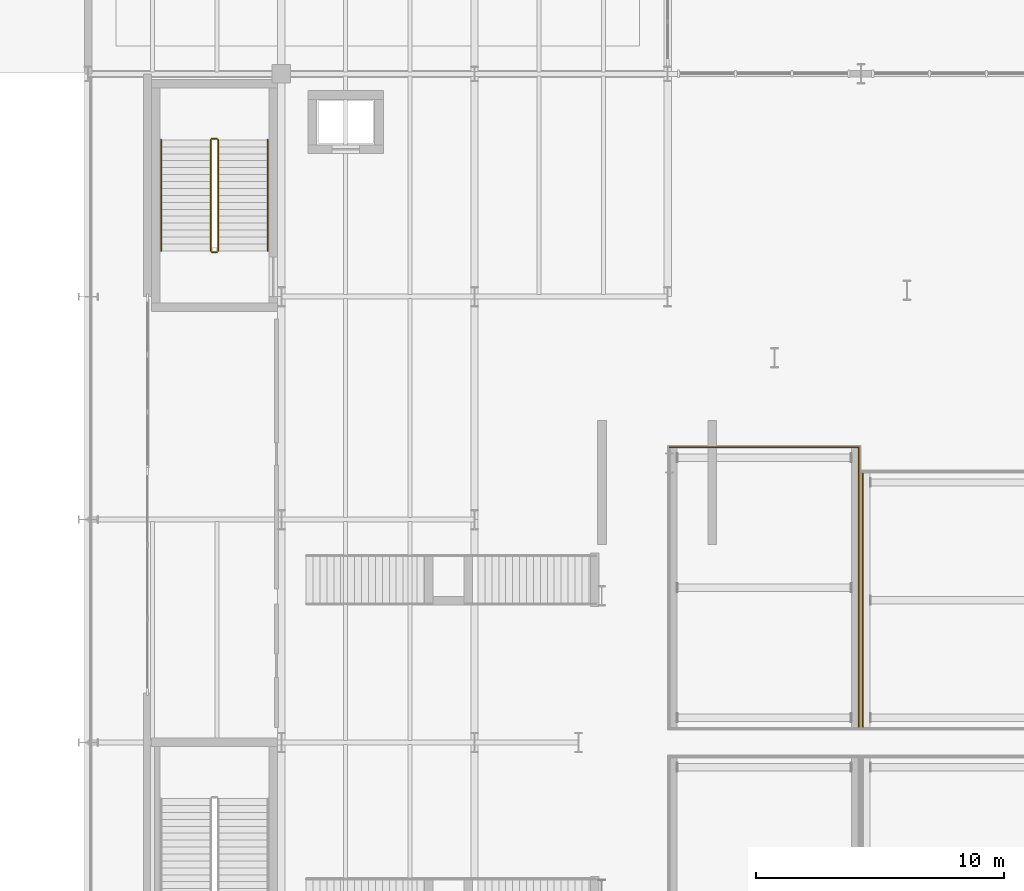
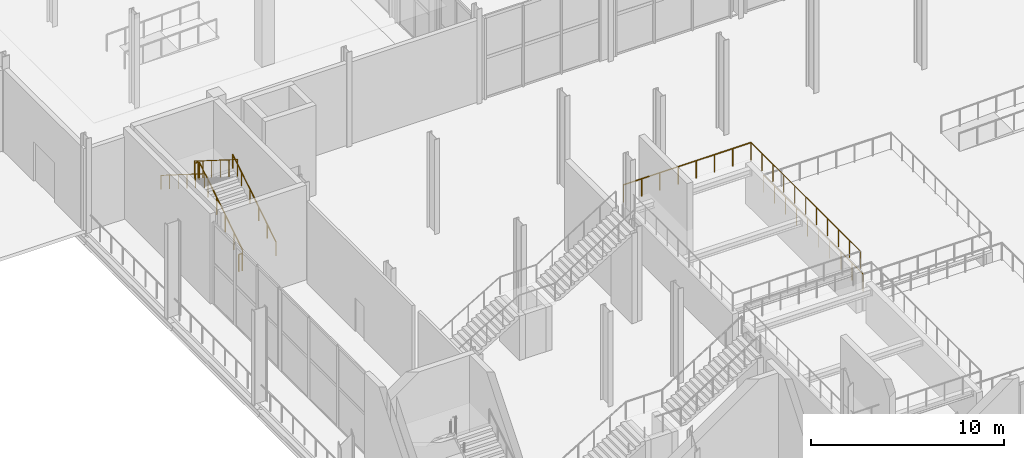
# One storey, part 68 of 84: 9 railings.
"""IFC4 building model written with IfcOpenShell, lengths in metres."""

from ifc_helpers import new_model, si_unit, direction, frame, origin, origin_2d, place, context, subcontext, project, spatial, circle, extrude, material, type_object, element, save


model = new_model("IFC4")

# Units and contexts
model_context = context("Model", 3, precision=1e-05, world=origin(), true_north=direction((0.0, 1.0)))
body_context = subcontext(model_context, "Body", "Model", "MODEL_VIEW")
ifc_project = project(units=[si_unit("LENGTHUNIT", "METRE"), si_unit("AREAUNIT", "SQUARE_METRE"), si_unit("VOLUMEUNIT", "CUBIC_METRE"), si_unit("PLANEANGLEUNIT", "RADIAN"), si_unit("MASSUNIT", "GRAM", prefix="KILO")], contexts=[model_context])

# Site, building, storey
site_placement = place(None, origin())
site = spatial("IfcSite", under=ifc_project, at=site_placement, CompositionType="ELEMENT")
building_placement = place(site_placement, origin())
building = spatial("IfcBuilding", under=site, at=building_placement, Name="Sefraquen Railside Congress Hotel", CompositionType="ELEMENT")
storey_placement = place(building_placement, origin())
storey = spatial("IfcBuildingStorey", under=building, at=storey_placement, Name="L00", CompositionType="ELEMENT", Elevation=0.0)

# Railings
ifc_material = material(Name="Patinated wrought architectural bronze", Category="metal")
railing_type_1 = type_object("IfcRailingType", Name="TRL-BAL-110", PredefinedType="BALUSTRADE", material=ifc_material)
railing_1_placement = place(storey_placement, frame((56.47998046875, 37.919921875, 1.199951171875)))
element("IfcRailing", 1, at=railing_1_placement, inside=storey, type_object=railing_type_1, Name="Congress seating tier 2 perimeter guard", PredefinedType="BALUSTRADE", context=body_context, shape_type="SweptSolid", body=[
    extrude(circle(Radius=0.02392578125, at=origin_2d()), frame((0.0, 0.0, 1.09619140625), z_axis=(0.0, -1.0, 0.0), x_axis=(1.0, 0.0, 0.0)), (0.0, 0.0, 1.0), 10.33984375),
    extrude(circle(Radius=0.02099609375, at=origin_2d()), origin(), (0.0, 0.0, 1.0), 1.072021484375),
    extrude(circle(Radius=0.02099609375, at=origin_2d()), frame((0.0, -1.14892578125, 0.0)), (0.0, 0.0, 1.0), 1.072021484375),
    extrude(circle(Radius=0.02099609375, at=origin_2d()), frame((0.0, -2.2978515625, 0.0)), (0.0, 0.0, 1.0), 1.072021484375),
    extrude(circle(Radius=0.02099609375, at=origin_2d()), frame((0.0, -3.446533203125, 0.0)), (0.0, 0.0, 1.0), 1.072021484375),
    extrude(circle(Radius=0.02099609375, at=origin_2d()), frame((0.0, -4.595458984375, 0.0)), (0.0, 0.0, 1.0), 1.072021484375),
    extrude(circle(Radius=0.02099609375, at=origin_2d()), frame((0.0, -5.744384765625, 0.0)), (0.0, 0.0, 1.0), 1.072021484375),
    extrude(circle(Radius=0.02099609375, at=origin_2d()), frame((0.0, -6.893310546875, 0.0)), (0.0, 0.0, 1.0), 1.072021484375),
    extrude(circle(Radius=0.02099609375, at=origin_2d()), frame((0.0, -8.0419921875, 0.0)), (0.0, 0.0, 1.0), 1.072021484375),
    extrude(circle(Radius=0.02099609375, at=origin_2d()), frame((0.0, -9.19091796875, 0.0)), (0.0, 0.0, 1.0), 1.072021484375),
    extrude(circle(Radius=0.02099609375, at=origin_2d()), frame((0.0, -10.33984375, 0.0)), (0.0, 0.0, 1.0), 1.072021484375),
])
railing_2_placement = place(storey_placement, frame((56.320068359375, 27.580078125, 2.699951171875)))
element("IfcRailing", 2, at=railing_2_placement, inside=storey, type_object=railing_type_1, Name="Congress seating tier 4 perimeter guard", PredefinedType="BALUSTRADE", context=body_context, shape_type="SweptSolid", body=[
    extrude(circle(Radius=0.02392578125, at=origin_2d()), frame((0.0, 0.0, 1.09619140625), z_axis=(0.0, 1.0, 0.0), x_axis=(-1.0, 0.0, 0.0)), (0.0, 0.0, 1.0), 11.33984375),
    extrude(circle(Radius=0.02099609375, at=origin_2d()), origin(), (0.0, 0.0, 1.0), 1.072021484375),
    extrude(circle(Radius=0.02099609375, at=origin_2d()), frame((0.0, 1.134033203125, 0.0)), (0.0, 0.0, 1.0), 1.072021484375),
    extrude(circle(Radius=0.02099609375, at=origin_2d()), frame((0.0, 2.26806640625, 0.0)), (0.0, 0.0, 1.0), 1.072021484375),
    extrude(circle(Radius=0.02099609375, at=origin_2d()), frame((0.0, 3.40185546875, 0.0)), (0.0, 0.0, 1.0), 1.072021484375),
    extrude(circle(Radius=0.02099609375, at=origin_2d()), frame((0.0, 4.535888671875, 0.0)), (0.0, 0.0, 1.0), 1.072021484375),
    extrude(circle(Radius=0.02099609375, at=origin_2d()), frame((0.0, 5.669921875, 0.0)), (0.0, 0.0, 1.0), 1.072021484375),
    extrude(circle(Radius=0.02099609375, at=origin_2d()), frame((0.0, 6.803955078125, 0.0)), (0.0, 0.0, 1.0), 1.072021484375),
    extrude(circle(Radius=0.02099609375, at=origin_2d()), frame((0.0, 7.93798828125, 0.0)), (0.0, 0.0, 1.0), 1.072021484375),
    extrude(circle(Radius=0.02099609375, at=origin_2d()), frame((0.0, 9.07177734375, 0.0)), (0.0, 0.0, 1.0), 1.072021484375),
    extrude(circle(Radius=0.02099609375, at=origin_2d()), frame((0.0, 10.205810546875, 0.0)), (0.0, 0.0, 1.0), 1.072021484375),
    extrude(circle(Radius=0.02099609375, at=origin_2d()), frame((0.0, 11.33984375, 0.0)), (0.0, 0.0, 1.0), 1.072021484375),
])
railing_3_placement = place(storey_placement, frame((56.320068359375, 38.919921875, 2.699951171875)))
element("IfcRailing", 3, at=railing_3_placement, inside=storey, type_object=railing_type_1, Name="Congress seating tier 4 perimeter guard", PredefinedType="BALUSTRADE", context=body_context, shape_type="SweptSolid", body=[
    extrude(circle(Radius=0.02392578125, at=origin_2d()), frame((0.0, 0.0, 1.09619140625), z_axis=(-1.0, 0.0, 0.0), x_axis=(0.0, -1.0, 0.0)), (0.0, 0.0, 1.0), 7.64013671875),
    extrude(circle(Radius=0.02099609375, at=origin_2d()), origin(), (0.0, 0.0, 1.0), 1.072021484375),
    extrude(circle(Radius=0.02099609375, at=origin_2d()), frame((-1.091552734375, 0.0, 0.0)), (0.0, 0.0, 1.0), 1.072021484375),
    extrude(circle(Radius=0.02099609375, at=origin_2d()), frame((-2.182861328125, 0.0, 0.0)), (0.0, 0.0, 1.0), 1.072021484375),
    extrude(circle(Radius=0.02099609375, at=origin_2d()), frame((-3.2744140625, 0.0, 0.0)), (0.0, 0.0, 1.0), 1.072021484375),
    extrude(circle(Radius=0.02099609375, at=origin_2d()), frame((-4.36572265625, 0.0, 0.0)), (0.0, 0.0, 1.0), 1.072021484375),
    extrude(circle(Radius=0.02099609375, at=origin_2d()), frame((-5.457275390625, 0.0, 0.0)), (0.0, 0.0, 1.0), 1.072021484375),
    extrude(circle(Radius=0.02099609375, at=origin_2d()), frame((-6.548583984375, 0.0, 0.0)), (0.0, 0.0, 1.0), 1.072021484375),
    extrude(circle(Radius=0.02099609375, at=origin_2d()), frame((-7.64013671875, 0.0, 0.0)), (0.0, 0.0, 1.0), 1.072021484375),
])
railing_4_placement = place(storey_placement, frame((30.449951171875, 46.85009765625, 0.176513671875)))
element("IfcRailing", 4, at=railing_4_placement, inside=storey, type_object=railing_type_1, Name="L00 ST-C02 stair guard 1", PredefinedType="BALUSTRADE", context=body_context, shape_type="SweptSolid", body=[
    extrude(circle(Radius=0.02392578125, at=origin_2d()), frame((0.0, 0.0, 1.076171875), z_axis=(0.0, 0.845997938375, 0.533186166611), x_axis=(-1.0, 0.0, 0.0)), (0.0, 0.0, 1.0), 5.29541015625),
    extrude(circle(Radius=0.02099609375, at=origin_2d()), origin(), (0.0, 0.0, 1.0), 1.052001953125),
    extrude(circle(Radius=0.02099609375, at=origin_2d()), frame((0.0, 0.89599609375, 0.564697265625)), (0.0, 0.0, 1.0), 1.052001953125),
    extrude(circle(Radius=0.02099609375, at=origin_2d()), frame((0.0, 1.7919921875, 1.12939453125)), (0.0, 0.0, 1.0), 1.052001953125),
    extrude(circle(Radius=0.02099609375, at=origin_2d()), frame((0.0, 2.68798828125, 1.694091796875)), (0.0, 0.0, 1.0), 1.052001953125),
    extrude(circle(Radius=0.02099609375, at=origin_2d()), frame((0.0, 3.583984375, 2.2587890625)), (0.0, 0.0, 1.0), 1.052001953125),
    extrude(circle(Radius=0.02099609375, at=origin_2d()), frame((0.0, 4.47998046875, 2.823486328125)), (0.0, 0.0, 1.0), 1.052001953125),
])
railing_5_placement = place(storey_placement, frame((30.39990234375, 51.3798828125, 3.0)))
element("IfcRailing", 5, at=railing_5_placement, inside=storey, type_object=railing_type_1, Name="L00 ST-C02 stair guard 2", PredefinedType="BALUSTRADE", context=body_context, shape_type="SweptSolid", body=[
    extrude(circle(Radius=0.02392578125, at=origin_2d()), frame((0.0, 0.0, 1.076171875), z_axis=(-1.0, 0.0, 0.0), x_axis=(0.0, -1.0, 0.0)), (0.0, 0.0, 1.0), 0.199951171875),
    extrude(circle(Radius=0.02099609375, at=origin_2d()), origin(), (0.0, 0.0, 1.0), 1.052001953125),
    extrude(circle(Radius=0.02099609375, at=origin_2d()), frame((-0.199951171875, 0.0, 0.0)), (0.0, 0.0, 1.0), 1.052001953125),
])
railing_6_placement = place(storey_placement, frame((30.14990234375, 51.330078125, 3.176513671875)))
element("IfcRailing", 6, at=railing_6_placement, inside=storey, type_object=railing_type_1, Name="L00 ST-C02 stair guard 3", PredefinedType="BALUSTRADE", context=body_context, shape_type="SweptSolid", body=[
    extrude(circle(Radius=0.02392578125, at=origin_2d()), frame((0.0, 0.0, 1.076171875), z_axis=(0.0, -0.845997938375, 0.533186166611), x_axis=(1.0, 0.0, 0.0)), (0.0, 0.0, 1.0), 5.29541015625),
    extrude(circle(Radius=0.02099609375, at=origin_2d()), origin(), (0.0, 0.0, 1.0), 1.052001953125),
    extrude(circle(Radius=0.02099609375, at=origin_2d()), frame((0.0, -0.89599609375, 0.564697265625)), (0.0, 0.0, 1.0), 1.052001953125),
    extrude(circle(Radius=0.02099609375, at=origin_2d()), frame((0.0, -1.7919921875, 1.12939453125)), (0.0, 0.0, 1.0), 1.052001953125),
    extrude(circle(Radius=0.02099609375, at=origin_2d()), frame((0.0, -2.68798828125, 1.694091796875)), (0.0, 0.0, 1.0), 1.052001953125),
    extrude(circle(Radius=0.02099609375, at=origin_2d()), frame((0.0, -3.583984375, 2.2587890625)), (0.0, 0.0, 1.0), 1.052001953125),
    extrude(circle(Radius=0.02099609375, at=origin_2d()), frame((0.0, -4.47998046875, 2.823486328125)), (0.0, 0.0, 1.0), 1.052001953125),
])
railing_7_placement = place(storey_placement, frame((30.39990234375, 46.800048828125, 0.0)))
element("IfcRailing", 7, at=railing_7_placement, inside=storey, type_object=railing_type_1, Name="L00 ST-C02 stair guard 4", PredefinedType="BALUSTRADE", context=body_context, shape_type="SweptSolid", body=[
    extrude(circle(Radius=0.02392578125, at=origin_2d()), frame((0.0, 0.0, 1.076171875), z_axis=(-1.0, 0.0, 0.0), x_axis=(0.0, -1.0, 0.0)), (0.0, 0.0, 1.0), 0.199951171875),
    extrude(circle(Radius=0.02099609375, at=origin_2d()), origin(), (0.0, 0.0, 1.0), 1.052001953125),
    extrude(circle(Radius=0.02099609375, at=origin_2d()), frame((-0.199951171875, 0.0, 0.0)), (0.0, 0.0, 1.0), 1.052001953125),
])
railing_type_2 = type_object("IfcRailingType", Name="TRL-HR-090", PredefinedType="HANDRAIL", material=ifc_material)
railing_8_placement = place(storey_placement, frame((32.449951171875, 46.85009765625, 0.176513671875)))
element("IfcRailing", 8, at=railing_8_placement, inside=storey, type_object=railing_type_2, Name="L00 ST-C02 stair handrail 1", PredefinedType="HANDRAIL", context=body_context, shape_type="SweptSolid", body=[
    extrude(circle(Radius=0.02392578125, at=origin_2d()), frame((0.0, 0.0, 0.8759765625), z_axis=(0.0, 0.845997938375, 0.533186166611), x_axis=(-1.0, 0.0, 0.0)), (0.0, 0.0, 1.0), 5.29541015625),
    extrude(circle(Radius=0.02099609375, at=origin_2d()), origin(), (0.0, 0.0, 1.0), 0.851806640625),
    extrude(circle(Radius=0.02099609375, at=origin_2d()), frame((0.0, 0.89599609375, 0.564697265625)), (0.0, 0.0, 1.0), 0.851806640625),
    extrude(circle(Radius=0.02099609375, at=origin_2d()), frame((0.0, 1.7919921875, 1.12939453125)), (0.0, 0.0, 1.0), 0.851806640625),
    extrude(circle(Radius=0.02099609375, at=origin_2d()), frame((0.0, 2.68798828125, 1.694091796875)), (0.0, 0.0, 1.0), 0.851806640625),
    extrude(circle(Radius=0.02099609375, at=origin_2d()), frame((0.0, 3.583984375, 2.2587890625)), (0.0, 0.0, 1.0), 0.851806640625),
    extrude(circle(Radius=0.02099609375, at=origin_2d()), frame((0.0, 4.47998046875, 2.823486328125)), (0.0, 0.0, 1.0), 0.851806640625),
])
railing_9_placement = place(storey_placement, frame((28.14990234375, 51.330078125, 3.176513671875)))
element("IfcRailing", 9, at=railing_9_placement, inside=storey, type_object=railing_type_2, Name="L00 ST-C02 stair handrail 2", PredefinedType="HANDRAIL", context=body_context, shape_type="SweptSolid", body=[
    extrude(circle(Radius=0.02392578125, at=origin_2d()), frame((0.0, 0.0, 0.8759765625), z_axis=(0.0, -0.845997938375, 0.533186166611), x_axis=(1.0, 0.0, 0.0)), (0.0, 0.0, 1.0), 5.29541015625),
    extrude(circle(Radius=0.02099609375, at=origin_2d()), origin(), (0.0, 0.0, 1.0), 0.851806640625),
    extrude(circle(Radius=0.02099609375, at=origin_2d()), frame((0.0, -0.89599609375, 0.564697265625)), (0.0, 0.0, 1.0), 0.851806640625),
    extrude(circle(Radius=0.02099609375, at=origin_2d()), frame((0.0, -1.7919921875, 1.12939453125)), (0.0, 0.0, 1.0), 0.851806640625),
    extrude(circle(Radius=0.02099609375, at=origin_2d()), frame((0.0, -2.68798828125, 1.694091796875)), (0.0, 0.0, 1.0), 0.851806640625),
    extrude(circle(Radius=0.02099609375, at=origin_2d()), frame((0.0, -3.583984375, 2.2587890625)), (0.0, 0.0, 1.0), 0.851806640625),
    extrude(circle(Radius=0.02099609375, at=origin_2d()), frame((0.0, -4.47998046875, 2.823486328125)), (0.0, 0.0, 1.0), 0.851806640625),
])

save(model, "model.ifc")
